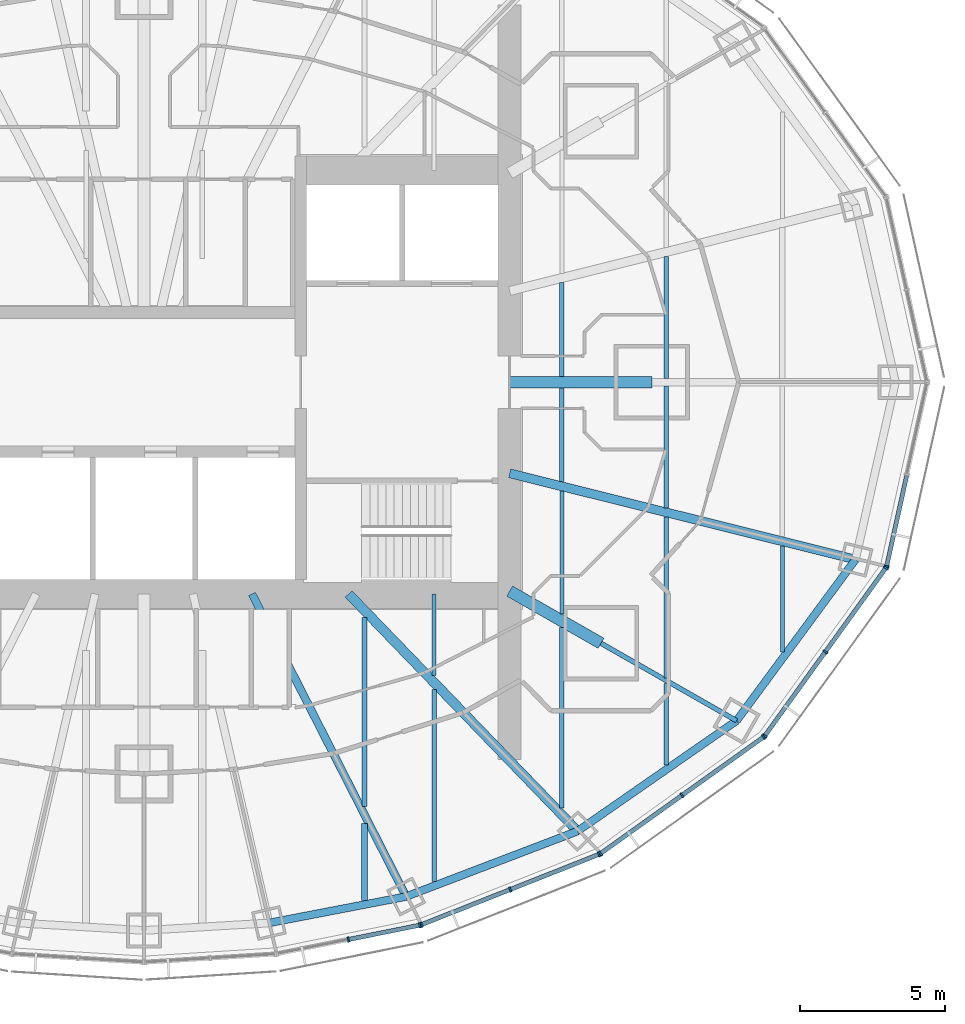
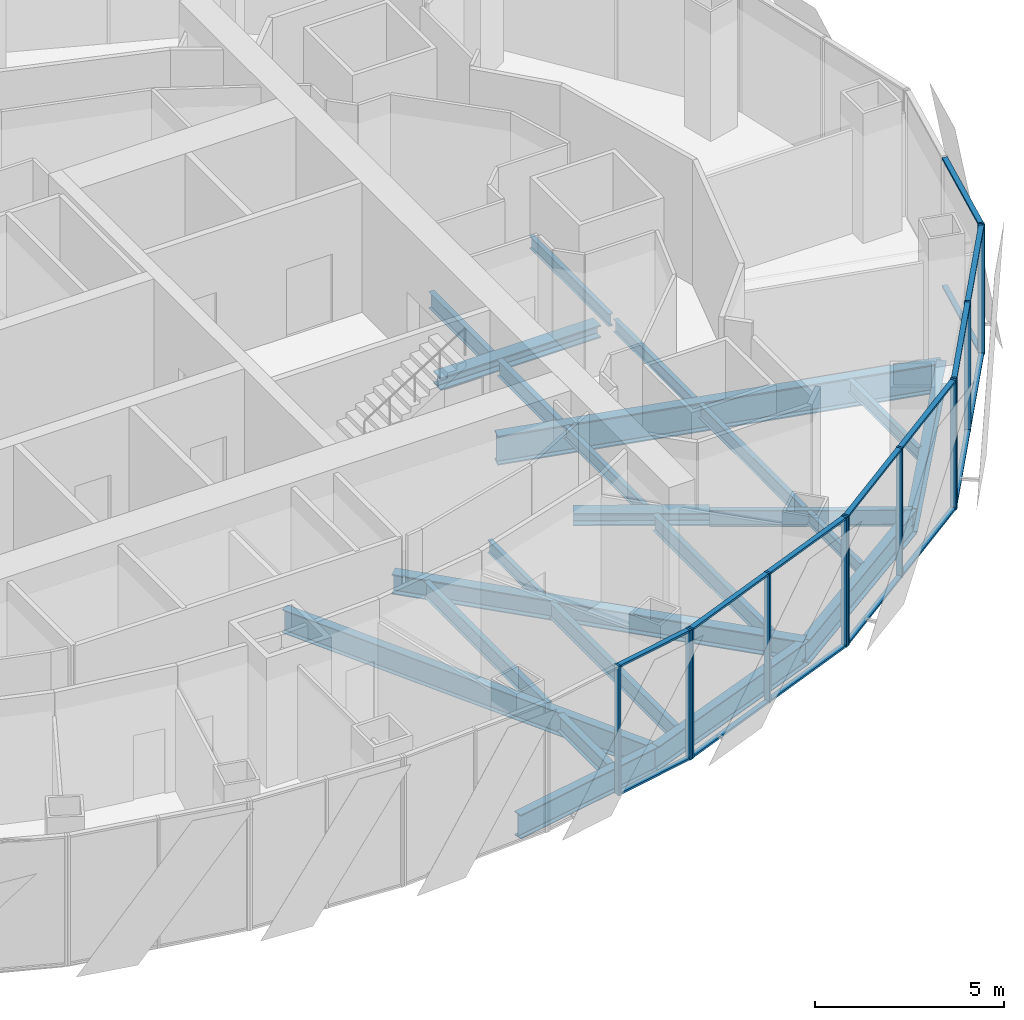
# One storey, part 6 of 18: 28 members, 23 beams, 5 elements without a shape of their own.
"""IFC4 building model written with IfcOpenShell, lengths in metres."""

from ifc_helpers import new_model, si_unit, direction, frame, origin, origin_2d, place, context, subcontext, project, spatial, rectangle, i_section, extrude, material, material_profile, profile_set, type_object, element, aggregate, save


model = new_model("IFC4")

# Units and contexts
model_context = context("Model", 3, precision=1e-05, world=origin(), true_north=direction((0.0, 1.0)))
body_context = subcontext(model_context, "Body", "Model", "MODEL_VIEW")
ifc_project = project(units=[si_unit("LENGTHUNIT", "METRE"), si_unit("AREAUNIT", "SQUARE_METRE"), si_unit("VOLUMEUNIT", "CUBIC_METRE"), si_unit("PLANEANGLEUNIT", "RADIAN"), si_unit("MASSUNIT", "GRAM", prefix="KILO")], contexts=[model_context])

# Site, building, storey
site_placement = place(None, origin())
site = spatial("IfcSite", under=ifc_project, at=site_placement, CompositionType="ELEMENT")
building_placement = place(site_placement, origin())
building = spatial("IfcBuilding", under=site, at=building_placement, Name="Lantaw Convention Tower", CompositionType="ELEMENT")
storey_placement = place(building_placement, frame((0.0, 0.0, 236.800048828125)))
storey = spatial("IfcBuildingStorey", under=building, at=storey_placement, Name="L55", CompositionType="ELEMENT", Elevation=236.800048828125)

# Beams
ifc_material_1 = material(Name="Steel ASTM A992", Category="steel")
ifc_material_profile_1 = material_profile(ifc_material_1, i_section(OverallWidth=0.2666015625, OverallDepth=0.76953125, WebThickness=0.015625, FlangeThickness=0.025390625, FilletRadius=0.0126953125, at=origin_2d()), Name="W30X132")
ifc_profile_set_1 = profile_set([ifc_material_profile_1], Name="Steel ASTM A992")
beam_type_1 = type_object("IfcBeamType", Name="Beam E W30X132", PredefinedType="SPANDREL", material=ifc_profile_set_1)
beam_1_placement = place(storey_placement, frame((4.303955078125, -18.64208984375, -0.534912109375), z_axis=(0.981972091702, 0.189025953556, 0.0), x_axis=(-0.189025953556, 0.981972091702, 0.0)))
element("IfcBeam", 1, at=beam_1_placement, inside=storey, type_object=beam_type_1, Name="Edge beam 20", PredefinedType="SPANDREL", context=body_context, shape_type="SweptSolid", body=[
    extrude(i_section(OverallWidth=0.2666015625, OverallDepth=0.76953125, WebThickness=0.015625, FlangeThickness=0.025390625, FilletRadius=0.0126953125, at=origin_2d()), origin(), (0.0, 0.0, 1.0), 4.817626953125),
])
beam_2_placement = place(storey_placement, frame((9.03466796875, -17.7314453125, -0.534912109375), z_axis=(0.934234988, 0.356658081637, 0.0), x_axis=(-0.356658081637, 0.934234988, 0.0)))
element("IfcBeam", 2, at=beam_2_placement, inside=storey, type_object=beam_type_1, Name="Edge beam 21", PredefinedType="SPANDREL", context=body_context, shape_type="SweptSolid", body=[
    extrude(i_section(OverallWidth=0.2666015625, OverallDepth=0.76953125, WebThickness=0.015625, FlangeThickness=0.025390625, FilletRadius=0.0126953125, at=origin_2d()), origin(), (0.0, 0.0, 1.0), 6.32568359375),
])
beam_3_placement = place(storey_placement, frame((14.9443359375, -15.475341796875, -0.534912109375), z_axis=(0.82135329406, 0.570419815869, 0.0), x_axis=(-0.570419815869, 0.82135329406, 0.0)))
element("IfcBeam", 3, at=beam_3_placement, inside=storey, type_object=beam_type_1, Name="Edge beam 22", PredefinedType="SPANDREL", context=body_context, shape_type="SweptSolid", body=[
    extrude(i_section(OverallWidth=0.2666015625, OverallDepth=0.76953125, WebThickness=0.015625, FlangeThickness=0.025390625, FilletRadius=0.0126953125, at=origin_2d()), origin(), (0.0, 0.0, 1.0), 6.67041015625),
])
beam_4_placement = place(storey_placement, frame((20.423095703125, -11.67041015625, -0.534912109375), z_axis=(0.593639188853, 0.804731329984, 0.0), x_axis=(-0.804731329984, 0.593639188853, 0.0)))
element("IfcBeam", 4, at=beam_4_placement, inside=storey, type_object=beam_type_1, Name="Edge beam 23", PredefinedType="SPANDREL", context=body_context, shape_type="SweptSolid", body=[
    extrude(i_section(OverallWidth=0.2666015625, OverallDepth=0.76953125, WebThickness=0.015625, FlangeThickness=0.025390625, FilletRadius=0.0126953125, at=origin_2d()), origin(), (0.0, 0.0, 1.0), 6.904541015625),
])
ifc_material_profile_2 = material_profile(ifc_material_1, i_section(OverallWidth=0.165771484375, OverallDepth=0.5283203125, WebThickness=0.009765625, FlangeThickness=0.013671875, FilletRadius=0.012939453125, at=origin_2d()), Name="W21X50")
ifc_profile_set_2 = profile_set([ifc_material_profile_2], Name="Steel ASTM A992")
beam_type_2 = type_object("IfcBeamType", Name="Beam G W21X50", PredefinedType="BEAM", material=ifc_profile_set_2)
beam_5_placement = place(storey_placement, frame((15.75, -9.0, -0.414306640625), z_axis=(0.868237559289, -0.496148708192, 0.0), x_axis=(0.496148708192, 0.868237559289, 0.0)))
element("IfcBeam", 5, at=beam_5_placement, inside=storey, type_object=beam_type_2, Name="Floor girder on ray 23", PredefinedType="BEAM", context=body_context, shape_type="SweptSolid", body=[
    extrude(i_section(OverallWidth=0.165771484375, OverallDepth=0.5283203125, WebThickness=0.009765625, FlangeThickness=0.013671875, FilletRadius=0.012939453125, at=origin_2d()), origin(), (0.0, 0.0, 1.0), 5.38232421875),
])
ifc_material_profile_3 = material_profile(ifc_material_1, i_section(OverallWidth=0.32763671875, OverallDepth=0.64013671875, WebThickness=0.01904296875, FlangeThickness=0.033935546875, FilletRadius=0.0126953125, at=origin_2d()), Name="W24X176")
ifc_profile_set_3 = profile_set([ifc_material_profile_3], Name="Steel ASTM A992")
beam_type_3 = type_object("IfcBeamType", Name="Beam G W24X176", PredefinedType="BEAM", material=ifc_profile_set_3)
beam_6_placement = place(storey_placement, frame((7.049560546875, -7.300048828125, -0.469970703125), z_axis=(0.694657766726, -0.719340383356, 0.0), x_axis=(0.719340383356, 0.694657766726, 0.0)))
element("IfcBeam", 6, at=beam_6_placement, inside=storey, type_object=beam_type_3, Name="Floor girder on ray 22", PredefinedType="BEAM", context=body_context, shape_type="SweptSolid", body=[
    extrude(i_section(OverallWidth=0.32763671875, OverallDepth=0.64013671875, WebThickness=0.01904296875, FlangeThickness=0.033935546875, FilletRadius=0.0126953125, at=origin_2d()), origin(), (0.0, 0.0, 1.0), 11.364990234375),
])
ifc_material_profile_4 = material_profile(ifc_material_1, i_section(OverallWidth=0.2666015625, OverallDepth=0.7568359375, WebThickness=0.013916015625, FlangeThickness=0.019287109375, FilletRadius=0.0126953125, at=origin_2d()), Name="W30X108")
ifc_profile_set_4 = profile_set([ifc_material_profile_4], Name="Steel ASTM A992")
beam_type_4 = type_object("IfcBeamType", Name="Beam G W30X108", PredefinedType="BEAM", material=ifc_profile_set_4)
beam_7_placement = place(storey_placement, frame((3.719482421875, -7.300048828125, -0.528564453125), z_axis=(0.4539988787, -0.891002254845, 0.0), x_axis=(0.891002254845, 0.4539988787, 0.0)))
element("IfcBeam", 7, at=beam_7_placement, inside=storey, type_object=beam_type_4, Name="Floor girder on ray 21", PredefinedType="BEAM", context=body_context, shape_type="SweptSolid", body=[
    extrude(i_section(OverallWidth=0.2666015625, OverallDepth=0.7568359375, WebThickness=0.013916015625, FlangeThickness=0.019287109375, FilletRadius=0.0126953125, at=origin_2d()), origin(), (0.0, 0.0, 1.0), 11.70751953125),
])
ifc_material_profile_5 = material_profile(ifc_material_1, i_section(OverallWidth=0.307373046875, OverallDepth=0.9423828125, WebThickness=0.022216796875, FlangeThickness=0.039794921875, FilletRadius=0.0126953125, at=origin_2d()), Name="W36X232")
ifc_profile_set_5 = profile_set([ifc_material_profile_5], Name="Steel ASTM A992")
beam_type_5 = type_object("IfcBeamType", Name="Beam G W36X232", PredefinedType="BEAM", material=ifc_profile_set_5)
beam_8_placement = place(storey_placement, frame((12.60009765625, -3.1416015625, -0.621337890625), z_axis=(0.970296589314, -0.241918434119, 0.0), x_axis=(0.241918434119, 0.970296589314, 0.0)))
element("IfcBeam", 8, at=beam_8_placement, inside=storey, type_object=beam_type_5, Name="Floor girder on ray 24", PredefinedType="BEAM", context=body_context, shape_type="SweptSolid", body=[
    extrude(i_section(OverallWidth=0.307373046875, OverallDepth=0.9423828125, WebThickness=0.022216796875, FlangeThickness=0.039794921875, FilletRadius=0.0126953125, at=origin_2d()), origin(), (0.0, 0.0, 1.0), 12.286865234375),
])
ifc_material_profile_6 = material_profile(ifc_material_1, i_section(OverallWidth=0.40380859375, OverallDepth=0.406494140625, WebThickness=0.027099609375, FlangeThickness=0.043701171875, FilletRadius=0.01513671875, at=origin_2d()), Name="W14X233")
ifc_profile_set_6 = profile_set([ifc_material_profile_6], Name="Steel ASTM A992")
beam_type_6 = type_object("IfcBeamType", Name="Beam GM W14X233", PredefinedType="BEAM", material=ifc_profile_set_6)
beam_9_placement = place(storey_placement, frame((12.60009765625, 0.0, -0.353271484375), z_axis=(1.0, 0.0, 0.0), x_axis=(0.0, 1.0, 0.0)))
element("IfcBeam", 9, at=beam_9_placement, inside=storey, type_object=beam_type_6, Name="Core link beam on ray 1", PredefinedType="BEAM", context=body_context, shape_type="SweptSolid", body=[
    extrude(i_section(OverallWidth=0.40380859375, OverallDepth=0.406494140625, WebThickness=0.027099609375, FlangeThickness=0.043701171875, FilletRadius=0.01513671875, at=origin_2d()), origin(), (0.0, 0.0, 1.0), 4.89990234375),
])
beam_10_placement = place(storey_placement, frame((12.60009765625, -7.199951171875, -0.353271484375), z_axis=(0.868230718294, -0.496160679428, 0.0), x_axis=(0.496160679428, 0.868230718294, 0.0)))
element("IfcBeam", 10, at=beam_10_placement, inside=storey, type_object=beam_type_6, Name="Core link beam on ray 23", PredefinedType="BEAM", context=body_context, shape_type="SweptSolid", body=[
    extrude(i_section(OverallWidth=0.40380859375, OverallDepth=0.406494140625, WebThickness=0.027099609375, FlangeThickness=0.043701171875, FilletRadius=0.01513671875, at=origin_2d()), origin(), (0.0, 0.0, 1.0), 3.6279296875),
])
ifc_material_profile_7 = material_profile(ifc_material_1, i_section(OverallWidth=0.140380859375, OverallDepth=0.40380859375, WebThickness=0.007080078125, FlangeThickness=0.01123046875, FilletRadius=0.01025390625, at=origin_2d()), Name="W16X31")
ifc_profile_set_7 = profile_set([ifc_material_profile_7], Name="Steel ASTM A992")
beam_type_7 = type_object("IfcBeamType", Name="Beam J W16X31", PredefinedType="JOIST", material=ifc_profile_set_7)
beam_11_placement = place(storey_placement, frame((10.0, -10.119384765625, -0.35205078125), z_axis=(0.0, 1.0, 0.0), x_axis=(-1.0, 0.0, 0.0)))
element("IfcBeam", 11, at=beam_11_placement, inside=storey, type_object=beam_type_7, Name="Floor joist", PredefinedType="JOIST", context=body_context, shape_type="SweptSolid", body=[
    extrude(i_section(OverallWidth=0.140380859375, OverallDepth=0.40380859375, WebThickness=0.007080078125, FlangeThickness=0.01123046875, FilletRadius=0.01025390625, at=origin_2d()), origin(), (0.0, 0.0, 1.0), 2.8193359375),
])
beam_12_placement = place(storey_placement, frame((14.39990234375, -7.99609375, -0.35205078125), z_axis=(0.0, 1.0, 0.0), x_axis=(-1.0, 0.0, 0.0)))
element("IfcBeam", 12, at=beam_12_placement, inside=storey, type_object=beam_type_7, Name="Floor joist", PredefinedType="JOIST", context=body_context, shape_type="SweptSolid", body=[
    extrude(i_section(OverallWidth=0.140380859375, OverallDepth=0.40380859375, WebThickness=0.007080078125, FlangeThickness=0.01123046875, FilletRadius=0.01025390625, at=origin_2d()), origin(), (0.0, 0.0, 1.0), 4.247314453125),
])
beam_13_placement = place(storey_placement, frame((18.0, -13.19091796875, -0.35205078125), z_axis=(0.0, 1.0, 0.0), x_axis=(-1.0, 0.0, 0.0)))
element("IfcBeam", 13, at=beam_13_placement, inside=storey, type_object=beam_type_7, Name="Floor joist", PredefinedType="JOIST", context=body_context, shape_type="SweptSolid", body=[
    extrude(i_section(OverallWidth=0.140380859375, OverallDepth=0.40380859375, WebThickness=0.007080078125, FlangeThickness=0.01123046875, FilletRadius=0.01025390625, at=origin_2d()), origin(), (0.0, 0.0, 1.0), 2.8095703125),
])
for number, where, z_axis, x_axis, name in (
    (14, (18.0, -4.32958984375, -0.35205078125), (0.0, 1.0, 0.0), (-1.0, 0.0, 0.0), "Floor joist"),
    (15, (18.0, 0.126953125, -0.35205078125), (0.0, 1.0, 0.0), (-1.0, 0.0, 0.0), "Floor joist"),
):
    element("IfcBeam", number, at=place(storey_placement, frame(where, z_axis=z_axis, x_axis=x_axis)), inside=storey, type_object=beam_type_7, Name=name, PredefinedType="JOIST", context=body_context, shape_type="SweptSolid", body=[
        extrude(i_section(OverallWidth=0.140380859375, OverallDepth=0.40380859375, WebThickness=0.007080078125, FlangeThickness=0.01123046875, FilletRadius=0.01025390625, at=origin_2d()), origin(), (0.0, 0.0, 1.0), 4.20263671875),
    ])
beam_14_placement = place(storey_placement, frame((22.0, -9.30810546875, -0.35205078125), z_axis=(0.0, 1.0, 0.0), x_axis=(-1.0, 0.0, 0.0)))
element("IfcBeam", 16, at=beam_14_placement, inside=storey, type_object=beam_type_7, Name="Floor joist", PredefinedType="JOIST", context=body_context, shape_type="SweptSolid", body=[
    extrude(i_section(OverallWidth=0.140380859375, OverallDepth=0.40380859375, WebThickness=0.007080078125, FlangeThickness=0.01123046875, FilletRadius=0.01025390625, at=origin_2d()), origin(), (0.0, 0.0, 1.0), 3.66455078125),
])
ifc_material_profile_8 = material_profile(ifc_material_1, i_section(OverallWidth=0.15234375, OverallDepth=0.449462890625, WebThickness=0.007568359375, FlangeThickness=0.0107421875, FilletRadius=0.01025390625, at=origin_2d()), Name="W18X35")
ifc_profile_set_8 = profile_set([ifc_material_profile_8], Name="Steel ASTM A992")
beam_type_8 = type_object("IfcBeamType", Name="Beam J W18X35", PredefinedType="JOIST", material=ifc_profile_set_8)
beam_15_placement = place(storey_placement, frame((18.0, -10.190185546875, -0.374755859375), z_axis=(0.0, 1.0, 0.0), x_axis=(-1.0, 0.0, 0.0)))
element("IfcBeam", 17, at=beam_15_placement, inside=storey, type_object=beam_type_8, Name="Floor joist", PredefinedType="JOIST", context=body_context, shape_type="SweptSolid", body=[
    extrude(i_section(OverallWidth=0.15234375, OverallDepth=0.449462890625, WebThickness=0.007568359375, FlangeThickness=0.0107421875, FilletRadius=0.01025390625, at=origin_2d()), origin(), (0.0, 0.0, 1.0), 5.5439453125),
])
ifc_material_profile_9 = material_profile(ifc_material_1, i_section(OverallWidth=0.1650390625, OverallDepth=0.52587890625, WebThickness=0.0087890625, FlangeThickness=0.011474609375, FilletRadius=0.0126953125, at=origin_2d()), Name="W21X44")
ifc_profile_set_9 = profile_set([ifc_material_profile_9], Name="Steel ASTM A992")
beam_type_9 = type_object("IfcBeamType", Name="Beam J W21X44", PredefinedType="JOIST", material=ifc_profile_set_9)
beam_16_placement = place(storey_placement, frame((7.60009765625, -14.6220703125, -0.412841796875), z_axis=(0.0, 1.0, 0.0), x_axis=(-1.0, 0.0, 0.0)))
element("IfcBeam", 18, at=beam_16_placement, inside=storey, type_object=beam_type_9, Name="Floor joist", PredefinedType="JOIST", context=body_context, shape_type="SweptSolid", body=[
    extrude(i_section(OverallWidth=0.1650390625, OverallDepth=0.52587890625, WebThickness=0.0087890625, FlangeThickness=0.011474609375, FilletRadius=0.0126953125, at=origin_2d()), origin(), (0.0, 0.0, 1.0), 6.51611328125),
])
beam_17_placement = place(storey_placement, frame((10.0, -17.22021484375, -0.412841796875), z_axis=(0.0, 1.0, 0.0), x_axis=(-1.0, 0.0, 0.0)))
element("IfcBeam", 19, at=beam_17_placement, inside=storey, type_object=beam_type_9, Name="Floor joist", PredefinedType="JOIST", context=body_context, shape_type="SweptSolid", body=[
    extrude(i_section(OverallWidth=0.1650390625, OverallDepth=0.52587890625, WebThickness=0.0087890625, FlangeThickness=0.011474609375, FilletRadius=0.0126953125, at=origin_2d()), origin(), (0.0, 0.0, 1.0), 6.629150390625),
])
beam_18_placement = place(storey_placement, frame((14.39990234375, -14.67578125, -0.412841796875), z_axis=(0.0, 1.0, 0.0), x_axis=(-1.0, 0.0, 0.0)))
element("IfcBeam", 20, at=beam_18_placement, inside=storey, type_object=beam_type_9, Name="Floor joist", PredefinedType="JOIST", context=body_context, shape_type="SweptSolid", body=[
    extrude(i_section(OverallWidth=0.1650390625, OverallDepth=0.52587890625, WebThickness=0.0087890625, FlangeThickness=0.011474609375, FilletRadius=0.0126953125, at=origin_2d()), origin(), (0.0, 0.0, 1.0), 6.214599609375),
])
for number, where, z_axis, x_axis, name in (
    (21, (14.39990234375, -3.431884765625, -0.412841796875), (0.0, 1.0, 0.0), (-1.0, 0.0, 0.0), "Floor joist"),
    (22, (14.39990234375, 0.201904296875, -0.412841796875), (0.0, 1.0, 0.0), (-1.0, 0.0, 0.0), "Floor joist"),
):
    element("IfcBeam", number, at=place(storey_placement, frame(where, z_axis=z_axis, x_axis=x_axis)), inside=storey, type_object=beam_type_9, Name=name, PredefinedType="JOIST", context=body_context, shape_type="SweptSolid", body=[
        extrude(i_section(OverallWidth=0.1650390625, OverallDepth=0.52587890625, WebThickness=0.0087890625, FlangeThickness=0.011474609375, FilletRadius=0.0126953125, at=origin_2d()), origin(), (0.0, 0.0, 1.0), 3.22998046875),
    ])
ifc_material_profile_10 = material_profile(ifc_material_1, i_section(OverallWidth=0.2099609375, OverallDepth=0.535888671875, WebThickness=0.010986328125, FlangeThickness=0.017333984375, FilletRadius=0.012939453125, at=origin_2d()), Name="W21X68")
ifc_profile_set_10 = profile_set([ifc_material_profile_10], Name="Steel ASTM A992")
beam_type_10 = type_object("IfcBeamType", Name="Beam J W21X68", PredefinedType="JOIST", material=ifc_profile_set_10)
beam_19_placement = place(storey_placement, frame((7.60009765625, -17.871826171875, -0.41796875), z_axis=(0.0, 1.0, 0.0), x_axis=(-1.0, 0.0, 0.0)))
element("IfcBeam", 23, at=beam_19_placement, inside=storey, type_object=beam_type_10, Name="Floor joist", PredefinedType="JOIST", context=body_context, shape_type="SweptSolid", body=[
    extrude(i_section(OverallWidth=0.2099609375, OverallDepth=0.535888671875, WebThickness=0.010986328125, FlangeThickness=0.017333984375, FilletRadius=0.012939453125, at=origin_2d()), origin(), (0.0, 0.0, 1.0), 2.662353515625),
])

# Curtain wall, members
ifc_material_2 = material(Name="Aluminium framed curtain wall", Category="aluminium")
curtain_wall_type = type_object("IfcCurtainWallType", Name="Office curtain wall high rise, pale aluminium", PredefinedType="USERDEFINED", material=ifc_material_2)
curtain_wall_1_placement = place(storey_placement, origin())
curtain_wall_1 = element("IfcCurtainWall", 24, at=curtain_wall_1_placement, inside=storey, type_object=curtain_wall_type, Name="Office curtain wall high rise, pale aluminium L55", ObjectType="UNITISED CURTAIN WALL", PredefinedType="USERDEFINED")
ifc_material_3 = material(Name="Aluminium 6063-T6", Category="aluminium")
ifc_material_profile_11 = material_profile(ifc_material_3, rectangle(XDim=0.179931640625, YDim=0.06494140625, at=origin_2d()), Name="CW-O2 mullion 65x180")
ifc_profile_set_11 = profile_set([ifc_material_profile_11], Name="Aluminium 6063-T6")
member_type_1 = type_object("IfcMemberType", Name="CW-O2 mullion 65x180", PredefinedType="MULLION", material=ifc_profile_set_11)
member_1_placement = place(storey_placement, frame((7.042724609375, -19.212646484375, -0.150146484375), z_axis=(0.0, 0.0, 1.0), x_axis=(-0.197183095987, 0.980366679695, 0.0)))
member_1 = element("IfcMember", 25, at=member_1_placement, type_object=member_type_1, Name="CW-O2 mullion 2", PredefinedType="MULLION", context=body_context, shape_type="SweptSolid", body=[
    extrude(rectangle(XDim=0.179931640625, YDim=0.06494140625, at=origin_2d()), origin(), (0.0, 0.0, 1.0), 4.2001953125),
])
member_2_placement = place(storey_placement, frame((9.502197265625, -18.718017578125, -0.150146484375), z_axis=(0.0, 0.0, 1.0), x_axis=(-0.197183095987, 0.980366679695, 0.0)))
member_2 = element("IfcMember", 26, at=member_2_placement, type_object=member_type_1, Name="CW-O2 mullion 3", PredefinedType="MULLION", context=body_context, shape_type="SweptSolid", body=[
    extrude(rectangle(XDim=0.179931640625, YDim=0.06494140625, at=origin_2d()), origin(), (0.0, 0.0, 1.0), 4.2001953125),
])

curtain_wall_2_placement = place(storey_placement, origin())
curtain_wall_2 = element("IfcCurtainWall", 27, at=curtain_wall_2_placement, inside=storey, type_object=curtain_wall_type, Name="Office curtain wall high rise, pale aluminium L55", ObjectType="UNITISED CURTAIN WALL", PredefinedType="USERDEFINED")
member_3_placement = place(storey_placement, frame((9.564208984375, -18.69970703125, -0.150146484375), z_axis=(0.0, 0.0, 1.0), x_axis=(-0.368162315252, 0.929761533743, 0.0)))
member_3 = element("IfcMember", 28, at=member_3_placement, type_object=member_type_1, Name="CW-O2 mullion 1", PredefinedType="MULLION", context=body_context, shape_type="SweptSolid", body=[
    extrude(rectangle(XDim=0.179931640625, YDim=0.06494140625, at=origin_2d()), origin(), (0.0, 0.0, 1.0), 4.2001953125),
])
member_4_placement = place(storey_placement, frame((12.621337890625, -17.4892578125, -0.150146484375), z_axis=(0.0, 0.0, 1.0), x_axis=(-0.368162315252, 0.929761533743, 0.0)))
member_4 = element("IfcMember", 29, at=member_4_placement, type_object=member_type_1, Name="CW-O2 mullion 2", PredefinedType="MULLION", context=body_context, shape_type="SweptSolid", body=[
    extrude(rectangle(XDim=0.179931640625, YDim=0.06494140625, at=origin_2d()), origin(), (0.0, 0.0, 1.0), 4.2001953125),
])
member_5_placement = place(storey_placement, frame((15.67822265625, -16.278564453125, -0.150146484375), z_axis=(0.0, 0.0, 1.0), x_axis=(-0.368162315252, 0.929761533743, 0.0)))
member_5 = element("IfcMember", 30, at=member_5_placement, type_object=member_type_1, Name="CW-O2 mullion 3", PredefinedType="MULLION", context=body_context, shape_type="SweptSolid", body=[
    extrude(rectangle(XDim=0.179931640625, YDim=0.06494140625, at=origin_2d()), origin(), (0.0, 0.0, 1.0), 4.2001953125),
])

curtain_wall_3_placement = place(storey_placement, origin())
curtain_wall_3 = element("IfcCurtainWall", 31, at=curtain_wall_3_placement, inside=storey, type_object=curtain_wall_type, Name="Office curtain wall high rise, pale aluminium L55", ObjectType="UNITISED CURTAIN WALL", PredefinedType="USERDEFINED")
member_6_placement = place(storey_placement, frame((15.73486328125, -16.247802734375, -0.150146484375), z_axis=(0.0, 0.0, 1.0), x_axis=(-0.581323487281, 0.813672540482, 0.0)))
member_6 = element("IfcMember", 32, at=member_6_placement, type_object=member_type_1, Name="CW-O2 mullion 1", PredefinedType="MULLION", context=body_context, shape_type="SweptSolid", body=[
    extrude(rectangle(XDim=0.179931640625, YDim=0.06494140625, at=origin_2d()), origin(), (0.0, 0.0, 1.0), 4.2001953125),
])
member_7_placement = place(storey_placement, frame((18.543212890625, -14.241455078125, -0.150146484375), z_axis=(0.0, 0.0, 1.0), x_axis=(-0.581323487281, 0.813672540482, 0.0)))
member_7 = element("IfcMember", 33, at=member_7_placement, type_object=member_type_1, Name="CW-O2 mullion 2", PredefinedType="MULLION", context=body_context, shape_type="SweptSolid", body=[
    extrude(rectangle(XDim=0.179931640625, YDim=0.06494140625, at=origin_2d()), origin(), (0.0, 0.0, 1.0), 4.2001953125),
])
member_8_placement = place(storey_placement, frame((21.3515625, -12.23486328125, -0.150146484375), z_axis=(0.0, 0.0, 1.0), x_axis=(-0.581323487281, 0.813672540482, 0.0)))
member_8 = element("IfcMember", 34, at=member_8_placement, type_object=member_type_1, Name="CW-O2 mullion 3", PredefinedType="MULLION", context=body_context, shape_type="SweptSolid", body=[
    extrude(rectangle(XDim=0.179931640625, YDim=0.06494140625, at=origin_2d()), origin(), (0.0, 0.0, 1.0), 4.2001953125),
])

curtain_wall_4_placement = place(storey_placement, origin())
curtain_wall_4 = element("IfcCurtainWall", 35, at=curtain_wall_4_placement, inside=storey, type_object=curtain_wall_type, Name="Office curtain wall high rise, pale aluminium L55", ObjectType="UNITISED CURTAIN WALL", PredefinedType="USERDEFINED")
member_9_placement = place(storey_placement, frame((21.397216796875, -12.189697265625, -0.150146484375), z_axis=(0.0, 0.0, 1.0), x_axis=(-0.810919559405, 0.585157643865, 0.0)))
member_9 = element("IfcMember", 36, at=member_9_placement, type_object=member_type_1, Name="CW-O2 mullion 1", PredefinedType="MULLION", context=body_context, shape_type="SweptSolid", body=[
    extrude(rectangle(XDim=0.179931640625, YDim=0.06494140625, at=origin_2d()), origin(), (0.0, 0.0, 1.0), 4.2001953125),
])
member_10_placement = place(storey_placement, frame((23.483642578125, -9.298095703125, -0.150146484375), z_axis=(0.0, 0.0, 1.0), x_axis=(-0.810919559405, 0.585157643865, 0.0)))
member_10 = element("IfcMember", 37, at=member_10_placement, type_object=member_type_1, Name="CW-O2 mullion 2", PredefinedType="MULLION", context=body_context, shape_type="SweptSolid", body=[
    extrude(rectangle(XDim=0.179931640625, YDim=0.06494140625, at=origin_2d()), origin(), (0.0, 0.0, 1.0), 4.2001953125),
])
member_11_placement = place(storey_placement, frame((25.5703125, -6.406494140625, -0.150146484375), z_axis=(0.0, 0.0, 1.0), x_axis=(-0.810919559405, 0.585157643865, 0.0)))
member_11 = element("IfcMember", 38, at=member_11_placement, type_object=member_type_1, Name="CW-O2 mullion 3", PredefinedType="MULLION", context=body_context, shape_type="SweptSolid", body=[
    extrude(rectangle(XDim=0.179931640625, YDim=0.06494140625, at=origin_2d()), origin(), (0.0, 0.0, 1.0), 4.2001953125),
])

# Curtain wall, member
curtain_wall_5_placement = place(storey_placement, origin())
curtain_wall_5 = element("IfcCurtainWall", 39, at=curtain_wall_5_placement, inside=storey, type_object=curtain_wall_type, Name="Office curtain wall high rise, pale aluminium L55", ObjectType="UNITISED CURTAIN WALL", PredefinedType="USERDEFINED")
member_12_placement = place(storey_placement, frame((25.596435546875, -6.348388671875, -0.150146484375), z_axis=(0.0, 0.0, 1.0), x_axis=(-0.976417396437, 0.215891333626, 0.0)))
member_12 = element("IfcMember", 40, at=member_12_placement, type_object=member_type_1, Name="CW-O2 mullion 1", PredefinedType="MULLION", context=body_context, shape_type="SweptSolid", body=[
    extrude(rectangle(XDim=0.179931640625, YDim=0.06494140625, at=origin_2d()), origin(), (0.0, 0.0, 1.0), 4.2001953125),
])

# Member
ifc_material_profile_12 = material_profile(ifc_material_3, rectangle(XDim=0.14990234375, YDim=0.06494140625, at=origin_2d()), Name="CW-O2 transom 65x150")
ifc_profile_set_12 = profile_set([ifc_material_profile_12], Name="Aluminium 6063-T6")
member_type_2 = type_object("IfcMemberType", Name="CW-O2 transom 65x150", PredefinedType="USERDEFINED", material=ifc_profile_set_12)
member_13_placement = place(storey_placement, frame((7.074462890625, -19.206298828125, -0.117431640625), z_axis=(0.98036104319, 0.197211117829, 0.0), x_axis=(-0.197211117829, 0.98036104319, 0.0)))
member_13 = element("IfcMember", 41, at=member_13_placement, type_object=member_type_2, Name="CW-O2 transom 2.1", ObjectType="TRANSOM", PredefinedType="USERDEFINED", context=body_context, shape_type="SweptSolid", body=[
    extrude(rectangle(XDim=0.14990234375, YDim=0.06494140625, at=origin_2d()), origin(), (0.0, 0.0, 1.0), 2.44384765625),
])

member_14_placement = place(storey_placement, frame((7.074462890625, -19.206298828125, 4.017333984375), z_axis=(0.98036104319, 0.197211117829, 0.0), x_axis=(-0.197211117829, 0.98036104319, 0.0)))
member_14 = element("IfcMember", 42, at=member_14_placement, type_object=member_type_2, Name="CW-O2 transom 2.2", ObjectType="TRANSOM", PredefinedType="USERDEFINED", context=body_context, shape_type="SweptSolid", body=[
    extrude(rectangle(XDim=0.14990234375, YDim=0.06494140625, at=origin_2d()), origin(), (0.0, 0.0, 1.0), 2.44384765625),
])

aggregate(curtain_wall_1, [member_1, member_2, member_13, member_14])

member_15_placement = place(storey_placement, frame((9.594482421875, -18.687744140625, -0.117431640625), z_axis=(0.929766642946, 0.368149412149, 0.0), x_axis=(-0.368149412149, 0.929766642946, 0.0)))
member_15 = element("IfcMember", 43, at=member_15_placement, type_object=member_type_2, Name="CW-O2 transom 1.1", ObjectType="TRANSOM", PredefinedType="USERDEFINED", context=body_context, shape_type="SweptSolid", body=[
    extrude(rectangle(XDim=0.14990234375, YDim=0.06494140625, at=origin_2d()), origin(), (0.0, 0.0, 1.0), 3.222900390625),
])

member_16_placement = place(storey_placement, frame((9.594482421875, -18.687744140625, 4.017333984375), z_axis=(0.929766642946, 0.368149412149, 0.0), x_axis=(-0.368149412149, 0.929766642946, 0.0)))
member_16 = element("IfcMember", 44, at=member_16_placement, type_object=member_type_2, Name="CW-O2 transom 1.2", ObjectType="TRANSOM", PredefinedType="USERDEFINED", context=body_context, shape_type="SweptSolid", body=[
    extrude(rectangle(XDim=0.14990234375, YDim=0.06494140625, at=origin_2d()), origin(), (0.0, 0.0, 1.0), 3.222900390625),
])

member_17_placement = place(storey_placement, frame((12.651611328125, -17.477294921875, -0.117431640625), z_axis=(0.929740712354, 0.368214893495, 0.0), x_axis=(-0.368214893495, 0.929740712354, 0.0)))
member_17 = element("IfcMember", 45, at=member_17_placement, type_object=member_type_2, Name="CW-O2 transom 2.1", ObjectType="TRANSOM", PredefinedType="USERDEFINED", context=body_context, shape_type="SweptSolid", body=[
    extrude(rectangle(XDim=0.14990234375, YDim=0.06494140625, at=origin_2d()), origin(), (0.0, 0.0, 1.0), 3.22314453125),
])

member_18_placement = place(storey_placement, frame((12.651611328125, -17.477294921875, 4.017333984375), z_axis=(0.929740712354, 0.368214893495, 0.0), x_axis=(-0.368214893495, 0.929740712354, 0.0)))
member_18 = element("IfcMember", 46, at=member_18_placement, type_object=member_type_2, Name="CW-O2 transom 2.2", ObjectType="TRANSOM", PredefinedType="USERDEFINED", context=body_context, shape_type="SweptSolid", body=[
    extrude(rectangle(XDim=0.14990234375, YDim=0.06494140625, at=origin_2d()), origin(), (0.0, 0.0, 1.0), 3.22314453125),
])

aggregate(curtain_wall_2, [member_3, member_4, member_5, member_15, member_16, member_17, member_18])

member_19_placement = place(storey_placement, frame((15.761474609375, -16.22900390625, -0.117431640625), z_axis=(0.813645780821, 0.581360940683, 0.0), x_axis=(-0.581360940683, 0.813645780821, 0.0)))
member_19 = element("IfcMember", 47, at=member_19_placement, type_object=member_type_2, Name="CW-O2 transom 1.1", ObjectType="TRANSOM", PredefinedType="USERDEFINED", context=body_context, shape_type="SweptSolid", body=[
    extrude(rectangle(XDim=0.14990234375, YDim=0.06494140625, at=origin_2d()), origin(), (0.0, 0.0, 1.0), 3.386474609375),
])

member_20_placement = place(storey_placement, frame((15.761474609375, -16.22900390625, 4.017333984375), z_axis=(0.813645780821, 0.581360940683, 0.0), x_axis=(-0.581360940683, 0.813645780821, 0.0)))
member_20 = element("IfcMember", 48, at=member_20_placement, type_object=member_type_2, Name="CW-O2 transom 1.2", ObjectType="TRANSOM", PredefinedType="USERDEFINED", context=body_context, shape_type="SweptSolid", body=[
    extrude(rectangle(XDim=0.14990234375, YDim=0.06494140625, at=origin_2d()), origin(), (0.0, 0.0, 1.0), 3.386474609375),
])

member_21_placement = place(storey_placement, frame((18.56982421875, -14.222412109375, -0.117431640625), z_axis=(0.813679882592, 0.581313210468, 0.0), x_axis=(-0.581313210468, 0.813679882592, 0.0)))
member_21 = element("IfcMember", 49, at=member_21_placement, type_object=member_type_2, Name="CW-O2 transom 2.1", ObjectType="TRANSOM", PredefinedType="USERDEFINED", context=body_context, shape_type="SweptSolid", body=[
    extrude(rectangle(XDim=0.14990234375, YDim=0.06494140625, at=origin_2d()), origin(), (0.0, 0.0, 1.0), 3.38623046875),
])

member_22_placement = place(storey_placement, frame((18.56982421875, -14.222412109375, 4.017333984375), z_axis=(0.813679882592, 0.581313210468, 0.0), x_axis=(-0.581313210468, 0.813679882592, 0.0)))
member_22 = element("IfcMember", 50, at=member_22_placement, type_object=member_type_2, Name="CW-O2 transom 2.2", ObjectType="TRANSOM", PredefinedType="USERDEFINED", context=body_context, shape_type="SweptSolid", body=[
    extrude(rectangle(XDim=0.14990234375, YDim=0.06494140625, at=origin_2d()), origin(), (0.0, 0.0, 1.0), 3.38623046875),
])

aggregate(curtain_wall_3, [member_6, member_7, member_8, member_19, member_20, member_21, member_22])

member_23_placement = place(storey_placement, frame((21.416259765625, -12.163330078125, -0.117431640625), z_axis=(0.585123825205, 0.810943961798, 0.0), x_axis=(-0.810943961798, 0.585123825205, 0.0)))
member_23 = element("IfcMember", 51, at=member_23_placement, type_object=member_type_2, Name="CW-O2 transom 1.1", ObjectType="TRANSOM", PredefinedType="USERDEFINED", context=body_context, shape_type="SweptSolid", body=[
    extrude(rectangle(XDim=0.14990234375, YDim=0.06494140625, at=origin_2d()), origin(), (0.0, 0.0, 1.0), 3.500732421875),
])

member_24_placement = place(storey_placement, frame((21.416259765625, -12.163330078125, 4.017333984375), z_axis=(0.585123825205, 0.810943961798, 0.0), x_axis=(-0.810943961798, 0.585123825205, 0.0)))
member_24 = element("IfcMember", 52, at=member_24_placement, type_object=member_type_2, Name="CW-O2 transom 1.2", ObjectType="TRANSOM", PredefinedType="USERDEFINED", context=body_context, shape_type="SweptSolid", body=[
    extrude(rectangle(XDim=0.14990234375, YDim=0.06494140625, at=origin_2d()), origin(), (0.0, 0.0, 1.0), 3.500732421875),
])

member_25_placement = place(storey_placement, frame((23.502685546875, -9.271728515625, -0.117431640625), z_axis=(0.585169685931, 0.810910869743, 0.0), x_axis=(-0.810910869743, 0.585169685931, 0.0)))
member_25 = element("IfcMember", 53, at=member_25_placement, type_object=member_type_2, Name="CW-O2 transom 2.1", ObjectType="TRANSOM", PredefinedType="USERDEFINED", context=body_context, shape_type="SweptSolid", body=[
    extrude(rectangle(XDim=0.14990234375, YDim=0.06494140625, at=origin_2d()), origin(), (0.0, 0.0, 1.0), 3.500732421875),
])

member_26_placement = place(storey_placement, frame((23.502685546875, -9.271728515625, 4.017333984375), z_axis=(0.585169685931, 0.810910869743, 0.0), x_axis=(-0.810910869743, 0.585169685931, 0.0)))
member_26 = element("IfcMember", 54, at=member_26_placement, type_object=member_type_2, Name="CW-O2 transom 2.2", ObjectType="TRANSOM", PredefinedType="USERDEFINED", context=body_context, shape_type="SweptSolid", body=[
    extrude(rectangle(XDim=0.14990234375, YDim=0.06494140625, at=origin_2d()), origin(), (0.0, 0.0, 1.0), 3.500732421875),
])

aggregate(curtain_wall_4, [member_9, member_10, member_11, member_23, member_24, member_25, member_26])

member_27_placement = place(storey_placement, frame((25.603271484375, -6.316650390625, -0.117431640625), z_axis=(0.215894607042, 0.976416672661, 0.0), x_axis=(-0.976416672661, 0.215894607042, 0.0)))
member_27 = element("IfcMember", 55, at=member_27_placement, type_object=member_type_2, Name="CW-O2 transom 1.1", ObjectType="TRANSOM", PredefinedType="USERDEFINED", context=body_context, shape_type="SweptSolid", body=[
    extrude(rectangle(XDim=0.14990234375, YDim=0.06494140625, at=origin_2d()), origin(), (0.0, 0.0, 1.0), 3.169677734375),
])

member_28_placement = place(storey_placement, frame((25.603271484375, -6.316650390625, 4.017333984375), z_axis=(0.215894607042, 0.976416672661, 0.0), x_axis=(-0.976416672661, 0.215894607042, 0.0)))
member_28 = element("IfcMember", 56, at=member_28_placement, type_object=member_type_2, Name="CW-O2 transom 1.2", ObjectType="TRANSOM", PredefinedType="USERDEFINED", context=body_context, shape_type="SweptSolid", body=[
    extrude(rectangle(XDim=0.14990234375, YDim=0.06494140625, at=origin_2d()), origin(), (0.0, 0.0, 1.0), 3.169677734375),
])

aggregate(curtain_wall_5, [member_12, member_27, member_28])

save(model, "model.ifc")
